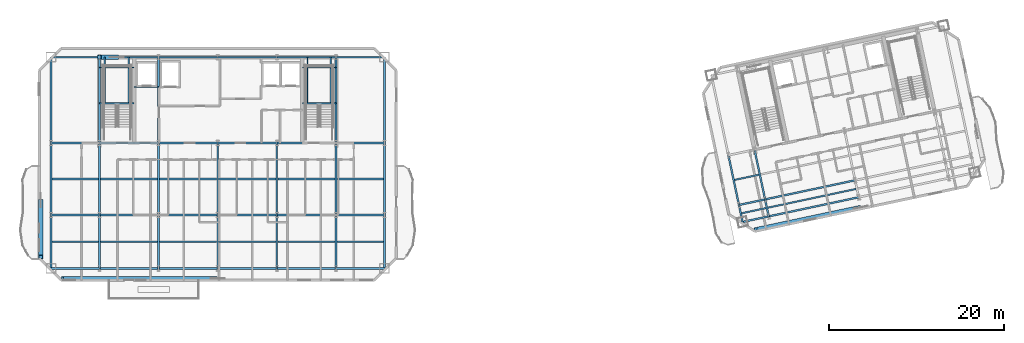
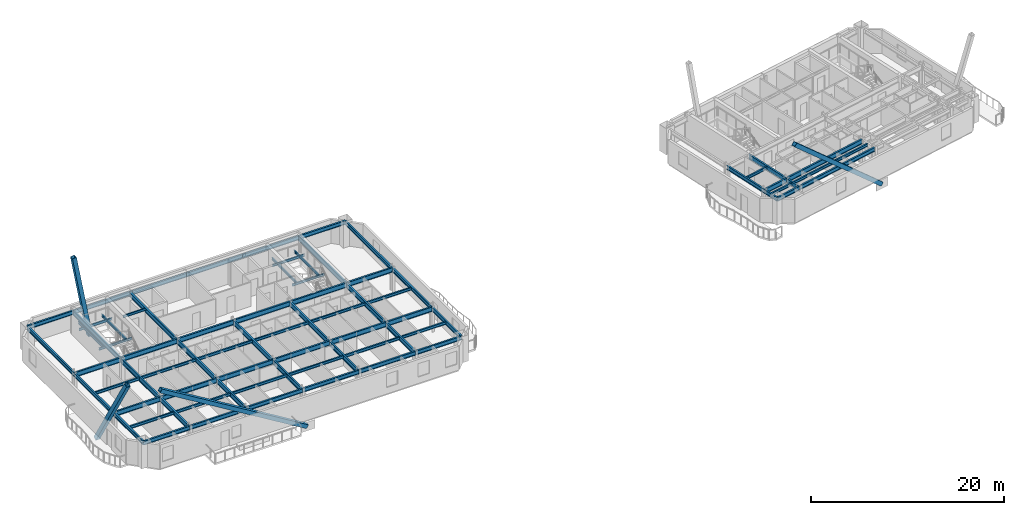
# One storey, part 3 of 14: 75 beams, 4 members.
"""IFC4 building model written with IfcOpenShell, lengths in metres."""

from ifc_helpers import new_model, si_unit, direction, frame, origin, origin_2d, place, context, subcontext, project, spatial, hollow_rectangle, i_section, extrude, material, material_profile, profile_set, type_object, element, save


model = new_model("IFC4")

# Units and contexts
model_context = context("Model", 3, precision=1e-05, world=origin(), true_north=direction((0.0, 1.0)))
body_context = subcontext(model_context, "Body", "Model", "MODEL_VIEW")
ifc_project = project(units=[si_unit("LENGTHUNIT", "METRE"), si_unit("AREAUNIT", "SQUARE_METRE"), si_unit("VOLUMEUNIT", "CUBIC_METRE"), si_unit("PLANEANGLEUNIT", "RADIAN"), si_unit("MASSUNIT", "GRAM", prefix="KILO")], contexts=[model_context])

# Site, building, storey
site_placement = place(None, origin())
site = spatial("IfcSite", under=ifc_project, at=site_placement, CompositionType="ELEMENT")
building_placement = place(site_placement, origin())
building = spatial("IfcBuilding", under=site, at=building_placement, Name="Haevon Station Towers", CompositionType="ELEMENT")
storey_placement = place(building_placement, frame((0.0, 0.0, 208.800048828125)))
storey = spatial("IfcBuildingStorey", under=building, at=storey_placement, Name="L57", CompositionType="ELEMENT", Elevation=208.800048828125)

# Beams
ifc_material_1 = material(Name="Steel S355", Category="steel")
ifc_material_profile_1 = material_profile(ifc_material_1, i_section(OverallWidth=0.199951171875, OverallDepth=0.60009765625, WebThickness=0.010986328125, FlangeThickness=0.01708984375, at=origin_2d()), Name="H-600x200x11x17")
ifc_profile_set_1 = profile_set([ifc_material_profile_1], Name="Steel S355")
beam_type_1 = type_object("IfcBeamType", Name="BM-G600", PredefinedType="BEAM", material=ifc_profile_set_1)
beam_1_placement = place(storey_placement, frame((18.47509765625, 30.0, 2.75), z_axis=(1.0, 0.0, 0.0), x_axis=(0.0, 1.0, 0.0)))
element("IfcBeam", 1, at=beam_1_placement, inside=storey, type_object=beam_type_1, Name="BM-T1U-L57-02-01", PredefinedType="BEAM", context=body_context, shape_type="SweptSolid", body=[
    extrude(i_section(OverallWidth=0.199951171875, OverallDepth=0.60009765625, WebThickness=0.010986328125, FlangeThickness=0.01708984375, at=origin_2d()), origin(), (0.0, 0.0, 1.0), 5.52490234375),
])
for number, where, z_axis, x_axis, name in (
    (2, (24.0, 30.0, 2.75), (1.0, 0.0, 0.0), (0.0, 1.0, 0.0), "BM-T1U-L57-02-02"),
    (3, (30.75, 30.0, 2.75), (1.0, 0.0, 0.0), (0.0, 1.0, 0.0), "BM-T1U-L57-02-03"),
    (4, (37.5, 30.0, 2.75), (1.0, 0.0, 0.0), (0.0, 1.0, 0.0), "BM-T1U-L57-02-04"),
    (5, (44.25, 30.0, 2.75), (1.0, 0.0, 0.0), (0.0, 1.0, 0.0), "BM-T1U-L57-02-05"),
):
    element("IfcBeam", number, at=place(storey_placement, frame(where, z_axis=z_axis, x_axis=x_axis)), inside=storey, type_object=beam_type_1, Name=name, PredefinedType="BEAM", context=body_context, shape_type="SweptSolid", body=[
        extrude(i_section(OverallWidth=0.199951171875, OverallDepth=0.60009765625, WebThickness=0.010986328125, FlangeThickness=0.01708984375, at=origin_2d()), origin(), (0.0, 0.0, 1.0), 6.75),
    ])
for number, where, z_axis, x_axis, name in (
    (6, (51.0, 30.0, 2.75), (1.0, 0.0, 0.0), (0.0, 1.0, 0.0), "BM-T1U-L57-02-06"),
    (7, (18.47509765625, 38.199951171875, 2.75), (1.0, 0.0, 0.0), (0.0, 1.0, 0.0), "BM-T1U-L57-03-01"),
):
    element("IfcBeam", number, at=place(storey_placement, frame(where, z_axis=z_axis, x_axis=x_axis)), inside=storey, type_object=beam_type_1, Name=name, PredefinedType="BEAM", context=body_context, shape_type="SweptSolid", body=[
        extrude(i_section(OverallWidth=0.199951171875, OverallDepth=0.60009765625, WebThickness=0.010986328125, FlangeThickness=0.01708984375, at=origin_2d()), origin(), (0.0, 0.0, 1.0), 5.52490234375),
    ])
for number, where, z_axis, x_axis, name in (
    (8, (24.0, 38.199951171875, 2.75), (1.0, 0.0, 0.0), (0.0, 1.0, 0.0), "BM-T1U-L57-03-02"),
    (9, (30.75, 38.199951171875, 2.75), (1.0, 0.0, 0.0), (0.0, 1.0, 0.0), "BM-T1U-L57-03-03"),
    (10, (37.5, 38.199951171875, 2.75), (1.0, 0.0, 0.0), (0.0, 1.0, 0.0), "BM-T1U-L57-03-04"),
    (11, (44.25, 38.199951171875, 2.75), (1.0, 0.0, 0.0), (0.0, 1.0, 0.0), "BM-T1U-L57-03-05"),
):
    element("IfcBeam", number, at=place(storey_placement, frame(where, z_axis=z_axis, x_axis=x_axis)), inside=storey, type_object=beam_type_1, Name=name, PredefinedType="BEAM", context=body_context, shape_type="SweptSolid", body=[
        extrude(i_section(OverallWidth=0.199951171875, OverallDepth=0.60009765625, WebThickness=0.010986328125, FlangeThickness=0.01708984375, at=origin_2d()), origin(), (0.0, 0.0, 1.0), 6.75),
    ])
beam_2_placement = place(storey_placement, frame((51.0, 38.199951171875, 2.75), z_axis=(1.0, 0.0, 0.0), x_axis=(0.0, 1.0, 0.0)))
element("IfcBeam", 12, at=beam_2_placement, inside=storey, type_object=beam_type_1, Name="BM-T1U-L57-03-06", PredefinedType="BEAM", context=body_context, shape_type="SweptSolid", body=[
    extrude(i_section(OverallWidth=0.199951171875, OverallDepth=0.60009765625, WebThickness=0.010986328125, FlangeThickness=0.01708984375, at=origin_2d()), origin(), (0.0, 0.0, 1.0), 5.52490234375),
])
beam_3_placement = place(storey_placement, frame((24.0, 23.89990234375, 2.75), z_axis=(0.0, 1.0, 0.0), x_axis=(-1.0, 0.0, 0.0)))
element("IfcBeam", 13, at=beam_3_placement, inside=storey, type_object=beam_type_1, Name="BM-T1V-L57-02-01", PredefinedType="BEAM", context=body_context, shape_type="SweptSolid", body=[
    extrude(i_section(OverallWidth=0.199951171875, OverallDepth=0.60009765625, WebThickness=0.010986328125, FlangeThickness=0.01708984375, at=origin_2d()), origin(), (0.0, 0.0, 1.0), 6.10009765625),
])
beam_4_placement = place(storey_placement, frame((24.0, 30.0, 2.75), z_axis=(0.0, 1.0, 0.0), x_axis=(-1.0, 0.0, 0.0)))
element("IfcBeam", 14, at=beam_4_placement, inside=storey, type_object=beam_type_1, Name="BM-T1V-L57-02-02", PredefinedType="BEAM", context=body_context, shape_type="SweptSolid", body=[
    extrude(i_section(OverallWidth=0.199951171875, OverallDepth=0.60009765625, WebThickness=0.010986328125, FlangeThickness=0.01708984375, at=origin_2d()), origin(), (0.0, 0.0, 1.0), 8.199951171875),
])
beam_5_placement = place(storey_placement, frame((24.0, 38.199951171875, 2.75), z_axis=(0.0, 1.0, 0.0), x_axis=(-1.0, 0.0, 0.0)))
element("IfcBeam", 15, at=beam_5_placement, inside=storey, type_object=beam_type_1, Name="BM-T1V-L57-02-03", PredefinedType="BEAM", context=body_context, shape_type="SweptSolid", body=[
    extrude(i_section(OverallWidth=0.199951171875, OverallDepth=0.60009765625, WebThickness=0.010986328125, FlangeThickness=0.01708984375, at=origin_2d()), origin(), (0.0, 0.0, 1.0), 9.800048828125),
])
beam_6_placement = place(storey_placement, frame((30.75, 23.89990234375, 2.75), z_axis=(0.0, 1.0, 0.0), x_axis=(-1.0, 0.0, 0.0)))
element("IfcBeam", 16, at=beam_6_placement, inside=storey, type_object=beam_type_1, Name="BM-T1V-L57-03-01", PredefinedType="BEAM", context=body_context, shape_type="SweptSolid", body=[
    extrude(i_section(OverallWidth=0.199951171875, OverallDepth=0.60009765625, WebThickness=0.010986328125, FlangeThickness=0.01708984375, at=origin_2d()), origin(), (0.0, 0.0, 1.0), 6.10009765625),
])
beam_7_placement = place(storey_placement, frame((30.75, 30.0, 2.75), z_axis=(0.0, 1.0, 0.0), x_axis=(-1.0, 0.0, 0.0)))
element("IfcBeam", 17, at=beam_7_placement, inside=storey, type_object=beam_type_1, Name="BM-T1V-L57-03-02", PredefinedType="BEAM", context=body_context, shape_type="SweptSolid", body=[
    extrude(i_section(OverallWidth=0.199951171875, OverallDepth=0.60009765625, WebThickness=0.010986328125, FlangeThickness=0.01708984375, at=origin_2d()), origin(), (0.0, 0.0, 1.0), 8.199951171875),
])
beam_8_placement = place(storey_placement, frame((30.75, 38.199951171875, 2.75), z_axis=(0.0, 1.0, 0.0), x_axis=(-1.0, 0.0, 0.0)))
element("IfcBeam", 18, at=beam_8_placement, inside=storey, type_object=beam_type_1, Name="BM-T1V-L57-03-03", PredefinedType="BEAM", context=body_context, shape_type="SweptSolid", body=[
    extrude(i_section(OverallWidth=0.199951171875, OverallDepth=0.60009765625, WebThickness=0.010986328125, FlangeThickness=0.01708984375, at=origin_2d()), origin(), (0.0, 0.0, 1.0), 9.800048828125),
])
beam_9_placement = place(storey_placement, frame((37.5, 23.89990234375, 2.75), z_axis=(0.0, 1.0, 0.0), x_axis=(-1.0, 0.0, 0.0)))
element("IfcBeam", 19, at=beam_9_placement, inside=storey, type_object=beam_type_1, Name="BM-T1V-L57-04-01", PredefinedType="BEAM", context=body_context, shape_type="SweptSolid", body=[
    extrude(i_section(OverallWidth=0.199951171875, OverallDepth=0.60009765625, WebThickness=0.010986328125, FlangeThickness=0.01708984375, at=origin_2d()), origin(), (0.0, 0.0, 1.0), 6.10009765625),
])
beam_10_placement = place(storey_placement, frame((37.5, 30.0, 2.75), z_axis=(0.0, 1.0, 0.0), x_axis=(-1.0, 0.0, 0.0)))
element("IfcBeam", 20, at=beam_10_placement, inside=storey, type_object=beam_type_1, Name="BM-T1V-L57-04-02", PredefinedType="BEAM", context=body_context, shape_type="SweptSolid", body=[
    extrude(i_section(OverallWidth=0.199951171875, OverallDepth=0.60009765625, WebThickness=0.010986328125, FlangeThickness=0.01708984375, at=origin_2d()), origin(), (0.0, 0.0, 1.0), 8.199951171875),
])
beam_11_placement = place(storey_placement, frame((44.25, 23.89990234375, 2.75), z_axis=(0.0, 1.0, 0.0), x_axis=(-1.0, 0.0, 0.0)))
element("IfcBeam", 21, at=beam_11_placement, inside=storey, type_object=beam_type_1, Name="BM-T1V-L57-05-01", PredefinedType="BEAM", context=body_context, shape_type="SweptSolid", body=[
    extrude(i_section(OverallWidth=0.199951171875, OverallDepth=0.60009765625, WebThickness=0.010986328125, FlangeThickness=0.01708984375, at=origin_2d()), origin(), (0.0, 0.0, 1.0), 6.10009765625),
])
beam_12_placement = place(storey_placement, frame((44.25, 30.0, 2.75), z_axis=(0.0, 1.0, 0.0), x_axis=(-1.0, 0.0, 0.0)))
element("IfcBeam", 22, at=beam_12_placement, inside=storey, type_object=beam_type_1, Name="BM-T1V-L57-05-02", PredefinedType="BEAM", context=body_context, shape_type="SweptSolid", body=[
    extrude(i_section(OverallWidth=0.199951171875, OverallDepth=0.60009765625, WebThickness=0.010986328125, FlangeThickness=0.01708984375, at=origin_2d()), origin(), (0.0, 0.0, 1.0), 8.199951171875),
])
beam_13_placement = place(storey_placement, frame((51.0, 23.89990234375, 2.75), z_axis=(0.0, 1.0, 0.0), x_axis=(-1.0, 0.0, 0.0)))
element("IfcBeam", 23, at=beam_13_placement, inside=storey, type_object=beam_type_1, Name="BM-T1V-L57-06-01", PredefinedType="BEAM", context=body_context, shape_type="SweptSolid", body=[
    extrude(i_section(OverallWidth=0.199951171875, OverallDepth=0.60009765625, WebThickness=0.010986328125, FlangeThickness=0.01708984375, at=origin_2d()), origin(), (0.0, 0.0, 1.0), 6.10009765625),
])
beam_14_placement = place(storey_placement, frame((51.0, 30.0, 2.75), z_axis=(0.0, 1.0, 0.0), x_axis=(-1.0, 0.0, 0.0)))
element("IfcBeam", 24, at=beam_14_placement, inside=storey, type_object=beam_type_1, Name="BM-T1V-L57-06-02", PredefinedType="BEAM", context=body_context, shape_type="SweptSolid", body=[
    extrude(i_section(OverallWidth=0.199951171875, OverallDepth=0.60009765625, WebThickness=0.010986328125, FlangeThickness=0.01708984375, at=origin_2d()), origin(), (0.0, 0.0, 1.0), 8.199951171875),
])
beam_15_placement = place(storey_placement, frame((51.0, 38.199951171875, 2.75), z_axis=(0.0, 1.0, 0.0), x_axis=(-1.0, 0.0, 0.0)))
element("IfcBeam", 25, at=beam_15_placement, inside=storey, type_object=beam_type_1, Name="BM-T1V-L57-06-03", PredefinedType="BEAM", context=body_context, shape_type="SweptSolid", body=[
    extrude(i_section(OverallWidth=0.199951171875, OverallDepth=0.60009765625, WebThickness=0.010986328125, FlangeThickness=0.01708984375, at=origin_2d()), origin(), (0.0, 0.0, 1.0), 9.800048828125),
])
beam_16_placement = place(storey_placement, frame((96.974853515625, 31.135009765625, 2.75), z_axis=(0.978154782045, 0.207877902534, 0.0), x_axis=(-0.207877902534, 0.978154782045, 0.0)))
element("IfcBeam", 26, at=beam_16_placement, inside=storey, type_object=beam_type_1, Name="BM-T2U-L57-02-01", PredefinedType="BEAM", context=body_context, shape_type="SweptSolid", body=[
    extrude(i_section(OverallWidth=0.199951171875, OverallDepth=0.60009765625, WebThickness=0.010986328125, FlangeThickness=0.01708984375, at=origin_2d()), origin(), (0.0, 0.0, 1.0), 3.050048828125),
])
beam_17_placement = place(storey_placement, frame((99.958251953125, 31.76904296875, 2.75), z_axis=(0.978146794194, 0.207915485254, 0.0), x_axis=(-0.207915485254, 0.978146794194, 0.0)))
element("IfcBeam", 27, at=beam_17_placement, inside=storey, type_object=beam_type_1, Name="BM-T2U-L57-02-02", PredefinedType="BEAM", context=body_context, shape_type="SweptSolid", body=[
    extrude(i_section(OverallWidth=0.199951171875, OverallDepth=0.60009765625, WebThickness=0.010986328125, FlangeThickness=0.01708984375, at=origin_2d()), origin(), (0.0, 0.0, 1.0), 10.5),
])
beam_18_placement = place(storey_placement, frame((100.369873046875, 29.83251953125, 2.75), z_axis=(-0.207911850433, 0.978147566806, 0.0), x_axis=(-0.978147566806, -0.207911850433, 0.0)))
element("IfcBeam", 28, at=beam_18_placement, inside=storey, type_object=beam_type_1, Name="BM-T2V-L57-02-01", PredefinedType="BEAM", context=body_context, shape_type="SweptSolid", body=[
    extrude(i_section(OverallWidth=0.199951171875, OverallDepth=0.60009765625, WebThickness=0.010986328125, FlangeThickness=0.01708984375, at=origin_2d()), origin(), (0.0, 0.0, 1.0), 1.979736328125),
])
beam_19_placement = place(storey_placement, frame((99.958251953125, 31.76904296875, 2.75), z_axis=(-0.207896009217, 0.97815093383, 0.0), x_axis=(-0.97815093383, -0.207896009217, 0.0)))
element("IfcBeam", 29, at=beam_19_placement, inside=storey, type_object=beam_type_1, Name="BM-T2V-L57-02-02", PredefinedType="BEAM", context=body_context, shape_type="SweptSolid", body=[
    extrude(i_section(OverallWidth=0.199951171875, OverallDepth=0.60009765625, WebThickness=0.010986328125, FlangeThickness=0.01708984375, at=origin_2d()), origin(), (0.0, 0.0, 1.0), 5.800048828125),
])
ifc_material_profile_2 = material_profile(ifc_material_1, i_section(OverallWidth=0.175048828125, OverallDepth=0.35009765625, WebThickness=0.007080078125, FlangeThickness=0.010986328125, at=origin_2d()), Name="H-350x175x7x11")
ifc_profile_set_2 = profile_set([ifc_material_profile_2], Name="Steel S355")
beam_type_2 = type_object("IfcBeamType", Name="BM-J350", PredefinedType="JOIST", material=ifc_profile_set_2)
beam_20_placement = place(storey_placement, frame((18.5849609375, 26.949951171875, 2.875), z_axis=(1.0, 0.0, 0.0), x_axis=(0.0, 1.0, 0.0)))
element("IfcBeam", 30, at=beam_20_placement, inside=storey, type_object=beam_type_2, Name="BM-T1J-L57-01-01", PredefinedType="JOIST", context=body_context, shape_type="SweptSolid", body=[
    extrude(i_section(OverallWidth=0.175048828125, OverallDepth=0.35009765625, WebThickness=0.007080078125, FlangeThickness=0.010986328125, at=origin_2d()), origin(), (0.0, 0.0, 1.0), 5.304931640625),
])
for number, where, z_axis, x_axis, name in (
    (31, (24.110107421875, 26.949951171875, 2.875), (1.0, 0.0, 0.0), (0.0, 1.0, 0.0), "BM-T1J-L57-01-02"),
    (32, (30.860107421875, 26.949951171875, 2.875), (1.0, 0.0, 0.0), (0.0, 1.0, 0.0), "BM-T1J-L57-01-03"),
    (33, (37.610107421875, 26.949951171875, 2.875), (1.0, 0.0, 0.0), (0.0, 1.0, 0.0), "BM-T1J-L57-01-04"),
    (34, (44.360107421875, 26.949951171875, 2.875), (1.0, 0.0, 0.0), (0.0, 1.0, 0.0), "BM-T1J-L57-01-05"),
):
    element("IfcBeam", number, at=place(storey_placement, frame(where, z_axis=z_axis, x_axis=x_axis)), inside=storey, type_object=beam_type_2, Name=name, PredefinedType="JOIST", context=body_context, shape_type="SweptSolid", body=[
        extrude(i_section(OverallWidth=0.175048828125, OverallDepth=0.35009765625, WebThickness=0.007080078125, FlangeThickness=0.010986328125, at=origin_2d()), origin(), (0.0, 0.0, 1.0), 6.52978515625),
    ])
for number, where, z_axis, x_axis, name in (
    (35, (51.110107421875, 26.949951171875, 2.875), (1.0, 0.0, 0.0), (0.0, 1.0, 0.0), "BM-T1J-L57-01-06"),
    (36, (18.5849609375, 34.10009765625, 2.875), (1.0, 0.0, 0.0), (0.0, 1.0, 0.0), "BM-T1J-L57-02-01"),
):
    element("IfcBeam", number, at=place(storey_placement, frame(where, z_axis=z_axis, x_axis=x_axis)), inside=storey, type_object=beam_type_2, Name=name, PredefinedType="JOIST", context=body_context, shape_type="SweptSolid", body=[
        extrude(i_section(OverallWidth=0.175048828125, OverallDepth=0.35009765625, WebThickness=0.007080078125, FlangeThickness=0.010986328125, at=origin_2d()), origin(), (0.0, 0.0, 1.0), 5.304931640625),
    ])
for number, where, z_axis, x_axis, name in (
    (37, (24.110107421875, 34.10009765625, 2.875), (1.0, 0.0, 0.0), (0.0, 1.0, 0.0), "BM-T1J-L57-02-02"),
    (38, (30.860107421875, 34.10009765625, 2.875), (1.0, 0.0, 0.0), (0.0, 1.0, 0.0), "BM-T1J-L57-02-03"),
    (39, (37.610107421875, 34.10009765625, 2.875), (1.0, 0.0, 0.0), (0.0, 1.0, 0.0), "BM-T1J-L57-02-04"),
    (40, (44.360107421875, 34.10009765625, 2.875), (1.0, 0.0, 0.0), (0.0, 1.0, 0.0), "BM-T1J-L57-02-05"),
):
    element("IfcBeam", number, at=place(storey_placement, frame(where, z_axis=z_axis, x_axis=x_axis)), inside=storey, type_object=beam_type_2, Name=name, PredefinedType="JOIST", context=body_context, shape_type="SweptSolid", body=[
        extrude(i_section(OverallWidth=0.175048828125, OverallDepth=0.35009765625, WebThickness=0.007080078125, FlangeThickness=0.010986328125, at=origin_2d()), origin(), (0.0, 0.0, 1.0), 6.52978515625),
    ])
beam_21_placement = place(storey_placement, frame((51.110107421875, 34.10009765625, 2.875), z_axis=(1.0, 0.0, 0.0), x_axis=(0.0, 1.0, 0.0)))
element("IfcBeam", 41, at=beam_21_placement, inside=storey, type_object=beam_type_2, Name="BM-T1J-L57-02-06", PredefinedType="JOIST", context=body_context, shape_type="SweptSolid", body=[
    extrude(i_section(OverallWidth=0.175048828125, OverallDepth=0.35009765625, WebThickness=0.007080078125, FlangeThickness=0.010986328125, at=origin_2d()), origin(), (0.0, 0.0, 1.0), 5.304931640625),
])
beam_22_placement = place(storey_placement, frame((97.288330078125, 30.189453125, 2.875), z_axis=(0.9781470094, 0.207914472804, 0.0), x_axis=(-0.207914472804, 0.9781470094, 0.0)))
element("IfcBeam", 42, at=beam_22_placement, inside=storey, type_object=beam_type_2, Name="BM-T2J-L57-01-01", PredefinedType="JOIST", context=body_context, shape_type="SweptSolid", body=[
    extrude(i_section(OverallWidth=0.175048828125, OverallDepth=0.35009765625, WebThickness=0.007080078125, FlangeThickness=0.010986328125, at=origin_2d()), origin(), (0.0, 0.0, 1.0), 2.829833984375),
])
beam_23_placement = place(storey_placement, frame((100.271728515625, 30.82373046875, 2.875), z_axis=(0.978149313139, 0.20790363442, 0.0), x_axis=(-0.20790363442, 0.978149313139, 0.0)))
element("IfcBeam", 43, at=beam_23_placement, inside=storey, type_object=beam_type_2, Name="BM-T2J-L57-01-02", PredefinedType="JOIST", context=body_context, shape_type="SweptSolid", body=[
    extrude(i_section(OverallWidth=0.175048828125, OverallDepth=0.35009765625, WebThickness=0.007080078125, FlangeThickness=0.010986328125, at=origin_2d()), origin(), (0.0, 0.0, 1.0), 10.27978515625),
])
beam_24_placement = place(storey_placement, frame((96.4794921875, 33.99462890625, 2.875), z_axis=(0.978150738312, 0.207896929124, 0.0), x_axis=(-0.207896929124, 0.978150738312, 0.0)))
element("IfcBeam", 44, at=beam_24_placement, inside=storey, type_object=beam_type_2, Name="BM-T2J-L57-02-01", PredefinedType="JOIST", context=body_context, shape_type="SweptSolid", body=[
    extrude(i_section(OverallWidth=0.175048828125, OverallDepth=0.35009765625, WebThickness=0.007080078125, FlangeThickness=0.010986328125, at=origin_2d()), origin(), (0.0, 0.0, 1.0), 2.830078125),
])
ifc_material_profile_3 = material_profile(ifc_material_1, i_section(OverallWidth=0.14990234375, OverallDepth=0.300048828125, WebThickness=0.006591796875, FlangeThickness=0.009033203125, at=origin_2d()), Name="H-300x150x6.5x9")
ifc_profile_set_3 = profile_set([ifc_material_profile_3], Name="Steel S355")
beam_type_3 = type_object("IfcBeamType", Name="BM-LIN300", PredefinedType="LINTEL", material=ifc_profile_set_3)
for number, where, z_axis, x_axis, name in (
    (45, (24.0, 42.743896484375, 1.300048828125), (1.0, 0.0, 0.0), (0.0, 1.0, 0.0), "BM-ST1L-L57-1-S"),
    (46, (24.0, 46.820068359375, 1.300048828125), (1.0, 0.0, 0.0), (0.0, 1.0, 0.0), "BM-ST1L-L57-1-N"),
):
    element("IfcBeam", number, at=place(storey_placement, frame(where, z_axis=z_axis, x_axis=x_axis)), inside=storey, type_object=beam_type_3, Name=name, PredefinedType="LINTEL", context=body_context, shape_type="SweptSolid", body=[
        extrude(i_section(OverallWidth=0.14990234375, OverallDepth=0.300048828125, WebThickness=0.006591796875, FlangeThickness=0.009033203125, at=origin_2d()), origin(), (0.0, 0.0, 1.0), 3.949951171875),
    ])
for number, where, z_axis, x_axis, name in (
    (47, (24.60009765625, 42.743896484375, 1.300048828125), (0.0, 1.0, 0.0), (-1.0, 0.0, 0.0), "BM-ST1L-L57-1-W"),
    (48, (27.35009765625, 42.743896484375, 1.300048828125), (0.0, 1.0, 0.0), (-1.0, 0.0, 0.0), "BM-ST1L-L57-1-E"),
):
    element("IfcBeam", number, at=place(storey_placement, frame(where, z_axis=z_axis, x_axis=x_axis)), inside=storey, type_object=beam_type_3, Name=name, PredefinedType="LINTEL", context=body_context, shape_type="SweptSolid", body=[
        extrude(i_section(OverallWidth=0.14990234375, OverallDepth=0.300048828125, WebThickness=0.006591796875, FlangeThickness=0.009033203125, at=origin_2d()), origin(), (0.0, 0.0, 1.0), 5.256103515625),
    ])
for number, where, z_axis, x_axis, name in (
    (49, (47.14990234375, 42.743896484375, 1.300048828125), (1.0, 0.0, 0.0), (0.0, 1.0, 0.0), "BM-ST2L-L57-1-S"),
    (50, (47.14990234375, 46.820068359375, 1.300048828125), (1.0, 0.0, 0.0), (0.0, 1.0, 0.0), "BM-ST2L-L57-1-N"),
):
    element("IfcBeam", number, at=place(storey_placement, frame(where, z_axis=z_axis, x_axis=x_axis)), inside=storey, type_object=beam_type_3, Name=name, PredefinedType="LINTEL", context=body_context, shape_type="SweptSolid", body=[
        extrude(i_section(OverallWidth=0.14990234375, OverallDepth=0.300048828125, WebThickness=0.006591796875, FlangeThickness=0.009033203125, at=origin_2d()), origin(), (0.0, 0.0, 1.0), 3.85009765625),
    ])
for number, where, z_axis, x_axis, name in (
    (51, (47.75, 42.743896484375, 1.300048828125), (0.0, 1.0, 0.0), (-1.0, 0.0, 0.0), "BM-ST2L-L57-1-W"),
    (52, (50.39990234375, 42.743896484375, 1.300048828125), (0.0, 1.0, 0.0), (-1.0, 0.0, 0.0), "BM-ST2L-L57-1-E"),
):
    element("IfcBeam", number, at=place(storey_placement, frame(where, z_axis=z_axis, x_axis=x_axis)), inside=storey, type_object=beam_type_3, Name=name, PredefinedType="LINTEL", context=body_context, shape_type="SweptSolid", body=[
        extrude(i_section(OverallWidth=0.14990234375, OverallDepth=0.300048828125, WebThickness=0.006591796875, FlangeThickness=0.009033203125, at=origin_2d()), origin(), (0.0, 0.0, 1.0), 5.256103515625),
    ])
beam_25_placement = place(storey_placement, frame((27.949951171875, 44.60009765625, 2.89990234375), z_axis=(1.0, 0.0, 0.0), x_axis=(0.0, 1.0, 0.0)))
element("IfcBeam", 53, at=beam_25_placement, inside=storey, type_object=beam_type_3, Name="BM-T1LIN-L57", PredefinedType="LINTEL", context=body_context, shape_type="SweptSolid", body=[
    extrude(i_section(OverallWidth=0.14990234375, OverallDepth=0.300048828125, WebThickness=0.006591796875, FlangeThickness=0.009033203125, at=origin_2d()), origin(), (0.0, 0.0, 1.0), 2.85009765625),
])
ifc_material_profile_4 = material_profile(ifc_material_1, i_section(OverallWidth=0.199951171875, OverallDepth=0.5, WebThickness=0.010009765625, FlangeThickness=0.01611328125, at=origin_2d()), Name="H-500x200x10x16")
ifc_profile_set_4 = profile_set([ifc_material_profile_4], Name="Steel S355")
beam_type_4 = type_object("IfcBeamType", Name="BM-SP500", PredefinedType="SPANDREL", material=ifc_profile_set_4)
beam_26_placement = place(storey_placement, frame((18.47509765625, 23.89990234375, 2.800048828125), z_axis=(1.0, 0.0, 0.0), x_axis=(0.0, 1.0, 0.0)))
element("IfcBeam", 54, at=beam_26_placement, inside=storey, type_object=beam_type_4, Name="BM-T1U-L57-01-01", PredefinedType="SPANDREL", context=body_context, shape_type="SweptSolid", body=[
    extrude(i_section(OverallWidth=0.199951171875, OverallDepth=0.5, WebThickness=0.010009765625, FlangeThickness=0.01611328125, at=origin_2d()), origin(), (0.0, 0.0, 1.0), 5.52490234375),
])
for number, where, z_axis, x_axis, name in (
    (55, (24.0, 23.89990234375, 2.800048828125), (1.0, 0.0, 0.0), (0.0, 1.0, 0.0), "BM-T1U-L57-01-02"),
    (56, (30.75, 23.89990234375, 2.800048828125), (1.0, 0.0, 0.0), (0.0, 1.0, 0.0), "BM-T1U-L57-01-03"),
    (57, (37.5, 23.89990234375, 2.800048828125), (1.0, 0.0, 0.0), (0.0, 1.0, 0.0), "BM-T1U-L57-01-04"),
    (58, (44.25, 23.89990234375, 2.800048828125), (1.0, 0.0, 0.0), (0.0, 1.0, 0.0), "BM-T1U-L57-01-05"),
):
    element("IfcBeam", number, at=place(storey_placement, frame(where, z_axis=z_axis, x_axis=x_axis)), inside=storey, type_object=beam_type_4, Name=name, PredefinedType="SPANDREL", context=body_context, shape_type="SweptSolid", body=[
        extrude(i_section(OverallWidth=0.199951171875, OverallDepth=0.5, WebThickness=0.010009765625, FlangeThickness=0.01611328125, at=origin_2d()), origin(), (0.0, 0.0, 1.0), 6.75),
    ])
for number, where, z_axis, x_axis, name in (
    (59, (51.0, 23.89990234375, 2.800048828125), (1.0, 0.0, 0.0), (0.0, 1.0, 0.0), "BM-T1U-L57-01-06"),
    (60, (18.47509765625, 48.0, 2.800048828125), (1.0, 0.0, 0.0), (0.0, 1.0, 0.0), "BM-T1U-L57-04-01"),
):
    element("IfcBeam", number, at=place(storey_placement, frame(where, z_axis=z_axis, x_axis=x_axis)), inside=storey, type_object=beam_type_4, Name=name, PredefinedType="SPANDREL", context=body_context, shape_type="SweptSolid", body=[
        extrude(i_section(OverallWidth=0.199951171875, OverallDepth=0.5, WebThickness=0.010009765625, FlangeThickness=0.01611328125, at=origin_2d()), origin(), (0.0, 0.0, 1.0), 5.52490234375),
    ])
for number, where, z_axis, x_axis, name in (
    (61, (24.0, 48.0, 2.800048828125), (1.0, 0.0, 0.0), (0.0, 1.0, 0.0), "BM-T1U-L57-04-02"),
    (62, (30.75, 48.0, 2.800048828125), (1.0, 0.0, 0.0), (0.0, 1.0, 0.0), "BM-T1U-L57-04-03"),
    (63, (37.5, 48.0, 2.800048828125), (1.0, 0.0, 0.0), (0.0, 1.0, 0.0), "BM-T1U-L57-04-04"),
    (64, (44.25, 48.0, 2.800048828125), (1.0, 0.0, 0.0), (0.0, 1.0, 0.0), "BM-T1U-L57-04-05"),
):
    element("IfcBeam", number, at=place(storey_placement, frame(where, z_axis=z_axis, x_axis=x_axis)), inside=storey, type_object=beam_type_4, Name=name, PredefinedType="SPANDREL", context=body_context, shape_type="SweptSolid", body=[
        extrude(i_section(OverallWidth=0.199951171875, OverallDepth=0.5, WebThickness=0.010009765625, FlangeThickness=0.01611328125, at=origin_2d()), origin(), (0.0, 0.0, 1.0), 6.75),
    ])
beam_27_placement = place(storey_placement, frame((51.0, 48.0, 2.800048828125), z_axis=(1.0, 0.0, 0.0), x_axis=(0.0, 1.0, 0.0)))
element("IfcBeam", 65, at=beam_27_placement, inside=storey, type_object=beam_type_4, Name="BM-T1U-L57-04-06", PredefinedType="SPANDREL", context=body_context, shape_type="SweptSolid", body=[
    extrude(i_section(OverallWidth=0.199951171875, OverallDepth=0.5, WebThickness=0.010009765625, FlangeThickness=0.01611328125, at=origin_2d()), origin(), (0.0, 0.0, 1.0), 5.52490234375),
])
beam_28_placement = place(storey_placement, frame((18.47509765625, 23.89990234375, 2.800048828125), z_axis=(0.0, 1.0, 0.0), x_axis=(-1.0, 0.0, 0.0)))
element("IfcBeam", 66, at=beam_28_placement, inside=storey, type_object=beam_type_4, Name="BM-T1V-L57-01-01", PredefinedType="SPANDREL", context=body_context, shape_type="SweptSolid", body=[
    extrude(i_section(OverallWidth=0.199951171875, OverallDepth=0.5, WebThickness=0.010009765625, FlangeThickness=0.01611328125, at=origin_2d()), origin(), (0.0, 0.0, 1.0), 6.10009765625),
])
beam_29_placement = place(storey_placement, frame((18.47509765625, 30.0, 2.800048828125), z_axis=(0.0, 1.0, 0.0), x_axis=(-1.0, 0.0, 0.0)))
element("IfcBeam", 67, at=beam_29_placement, inside=storey, type_object=beam_type_4, Name="BM-T1V-L57-01-02", PredefinedType="SPANDREL", context=body_context, shape_type="SweptSolid", body=[
    extrude(i_section(OverallWidth=0.199951171875, OverallDepth=0.5, WebThickness=0.010009765625, FlangeThickness=0.01611328125, at=origin_2d()), origin(), (0.0, 0.0, 1.0), 8.199951171875),
])
beam_30_placement = place(storey_placement, frame((18.47509765625, 38.199951171875, 2.800048828125), z_axis=(0.0, 1.0, 0.0), x_axis=(-1.0, 0.0, 0.0)))
element("IfcBeam", 68, at=beam_30_placement, inside=storey, type_object=beam_type_4, Name="BM-T1V-L57-01-03", PredefinedType="SPANDREL", context=body_context, shape_type="SweptSolid", body=[
    extrude(i_section(OverallWidth=0.199951171875, OverallDepth=0.5, WebThickness=0.010009765625, FlangeThickness=0.01611328125, at=origin_2d()), origin(), (0.0, 0.0, 1.0), 9.800048828125),
])
beam_31_placement = place(storey_placement, frame((56.52490234375, 23.89990234375, 2.800048828125), z_axis=(0.0, 1.0, 0.0), x_axis=(-1.0, 0.0, 0.0)))
element("IfcBeam", 69, at=beam_31_placement, inside=storey, type_object=beam_type_4, Name="BM-T1V-L57-07-01", PredefinedType="SPANDREL", context=body_context, shape_type="SweptSolid", body=[
    extrude(i_section(OverallWidth=0.199951171875, OverallDepth=0.5, WebThickness=0.010009765625, FlangeThickness=0.01611328125, at=origin_2d()), origin(), (0.0, 0.0, 1.0), 6.10009765625),
])
beam_32_placement = place(storey_placement, frame((56.52490234375, 30.0, 2.800048828125), z_axis=(0.0, 1.0, 0.0), x_axis=(-1.0, 0.0, 0.0)))
element("IfcBeam", 70, at=beam_32_placement, inside=storey, type_object=beam_type_4, Name="BM-T1V-L57-07-02", PredefinedType="SPANDREL", context=body_context, shape_type="SweptSolid", body=[
    extrude(i_section(OverallWidth=0.199951171875, OverallDepth=0.5, WebThickness=0.010009765625, FlangeThickness=0.01611328125, at=origin_2d()), origin(), (0.0, 0.0, 1.0), 8.199951171875),
])
beam_33_placement = place(storey_placement, frame((56.52490234375, 38.199951171875, 2.800048828125), z_axis=(0.0, 1.0, 0.0), x_axis=(-1.0, 0.0, 0.0)))
element("IfcBeam", 71, at=beam_33_placement, inside=storey, type_object=beam_type_4, Name="BM-T1V-L57-07-03", PredefinedType="SPANDREL", context=body_context, shape_type="SweptSolid", body=[
    extrude(i_section(OverallWidth=0.199951171875, OverallDepth=0.5, WebThickness=0.010009765625, FlangeThickness=0.01611328125, at=origin_2d()), origin(), (0.0, 0.0, 1.0), 9.800048828125),
])
beam_34_placement = place(storey_placement, frame((97.386474609375, 29.1982421875, 2.800048828125), z_axis=(0.978138503145, 0.207954487003, 0.0), x_axis=(-0.207954487003, 0.978138503145, 0.0)))
element("IfcBeam", 72, at=beam_34_placement, inside=storey, type_object=beam_type_4, Name="BM-T2U-L57-01-01", PredefinedType="SPANDREL", context=body_context, shape_type="SweptSolid", body=[
    extrude(i_section(OverallWidth=0.199951171875, OverallDepth=0.5, WebThickness=0.010009765625, FlangeThickness=0.01611328125, at=origin_2d()), origin(), (0.0, 0.0, 1.0), 3.050048828125),
])
beam_35_placement = place(storey_placement, frame((100.369873046875, 29.83251953125, 2.800048828125), z_axis=(0.978151522678, 0.207893238667, 0.0), x_axis=(-0.207893238667, 0.978151522678, 0.0)))
element("IfcBeam", 73, at=beam_35_placement, inside=storey, type_object=beam_type_4, Name="BM-T2U-L57-01-02", PredefinedType="SPANDREL", context=body_context, shape_type="SweptSolid", body=[
    extrude(i_section(OverallWidth=0.199951171875, OverallDepth=0.5, WebThickness=0.010009765625, FlangeThickness=0.01611328125, at=origin_2d()), origin(), (0.0, 0.0, 1.0), 10.5),
])
beam_36_placement = place(storey_placement, frame((97.386474609375, 29.1982421875, 2.800048828125), z_axis=(-0.207886774674, 0.978152896492, 0.0), x_axis=(-0.978152896492, -0.207886774674, 0.0)))
element("IfcBeam", 74, at=beam_36_placement, inside=storey, type_object=beam_type_4, Name="BM-T2V-L57-01-01", PredefinedType="SPANDREL", context=body_context, shape_type="SweptSolid", body=[
    extrude(i_section(OverallWidth=0.199951171875, OverallDepth=0.5, WebThickness=0.010009765625, FlangeThickness=0.01611328125, at=origin_2d()), origin(), (0.0, 0.0, 1.0), 1.97998046875),
])
beam_37_placement = place(storey_placement, frame((96.974853515625, 31.135009765625, 2.800048828125), z_axis=(-0.207896009217, 0.97815093383, 0.0), x_axis=(-0.97815093383, -0.207896009217, 0.0)))
element("IfcBeam", 75, at=beam_37_placement, inside=storey, type_object=beam_type_4, Name="BM-T2V-L57-01-02", PredefinedType="SPANDREL", context=body_context, shape_type="SweptSolid", body=[
    extrude(i_section(OverallWidth=0.199951171875, OverallDepth=0.5, WebThickness=0.010009765625, FlangeThickness=0.01611328125, at=origin_2d()), origin(), (0.0, 0.0, 1.0), 5.800048828125),
])

# Members
ifc_material_2 = material(Name="Steel S460", Category="steel")
ifc_material_profile_5 = material_profile(ifc_material_2, hollow_rectangle(XDim=0.47998046875, YDim=0.47998046875, WallThickness=0.02490234375, at=origin_2d()), Name="RHS-480x480x25")
ifc_profile_set_5 = profile_set([ifc_material_profile_5], Name="Steel S460")
member_type = type_object("IfcMemberType", Name="MB-480", PredefinedType="BRACE", material=ifc_profile_set_5)
member_1_placement = place(storey_placement, frame((37.28466796875, 22.72998046875, -0.904052734375), z_axis=(-0.854286638531, 0.0, 0.519802211641), x_axis=(0.0, -1.0, 0.0)))
element("IfcMember", 76, at=member_1_placement, inside=storey, type_object=member_type, Name="BR-T1MB-T08-S-D2B", PredefinedType="BRACE", context=body_context, shape_type="SweptSolid", body=[
    extrude(hollow_rectangle(XDim=0.47998046875, YDim=0.47998046875, WallThickness=0.02490234375, at=origin_2d()), origin(), (0.0, 0.0, 1.0), 20.496337890625),
])
member_2_placement = place(storey_placement, frame((25.9296875, 48.0, -0.787109375), z_axis=(-0.180136769992, 0.0, 0.983641572981), x_axis=(0.0, -1.0, 0.0)))
element("IfcMember", 77, at=member_2_placement, inside=storey, type_object=member_type, Name="BR-T1MB-T08-N-D2B", PredefinedType="BRACE", context=body_context, shape_type="SweptSolid", body=[
    extrude(hollow_rectangle(XDim=0.47998046875, YDim=0.47998046875, WallThickness=0.02490234375, at=origin_2d()), origin(), (0.0, 0.0, 1.0), 10.71240234375),
])
member_3_placement = place(storey_placement, frame((17.304931640625, 31.56982421875, -0.8193359375), z_axis=(0.0, -0.516179295591, 0.856480551328), x_axis=(1.0, 0.0, 0.0)))
element("IfcMember", 78, at=member_3_placement, inside=storey, type_object=member_type, Name="BR-T1MB-T08-W-D2B", PredefinedType="BRACE", context=body_context, shape_type="SweptSolid", body=[
    extrude(hollow_rectangle(XDim=0.47998046875, YDim=0.47998046875, WallThickness=0.02490234375, at=origin_2d()), origin(), (0.0, 0.0, 1.0), 12.34033203125),
])
member_4_placement = place(storey_placement, frame((110.69873046875, 30.831787109375, -0.868408203125), z_axis=(-0.734164109184, -0.156048995601, 0.660796316393), x_axis=(0.207908627436, -0.978148251871, 0.0)))
element("IfcMember", 79, at=member_4_placement, inside=storey, type_object=member_type, Name="BR-T2MB-T08-S-D2B", PredefinedType="BRACE", context=body_context, shape_type="SweptSolid", body=[
    extrude(hollow_rectangle(XDim=0.47998046875, YDim=0.47998046875, WallThickness=0.02490234375, at=origin_2d()), origin(), (0.0, 0.0, 1.0), 16.069091796875),
])

save(model, "model.ifc")
